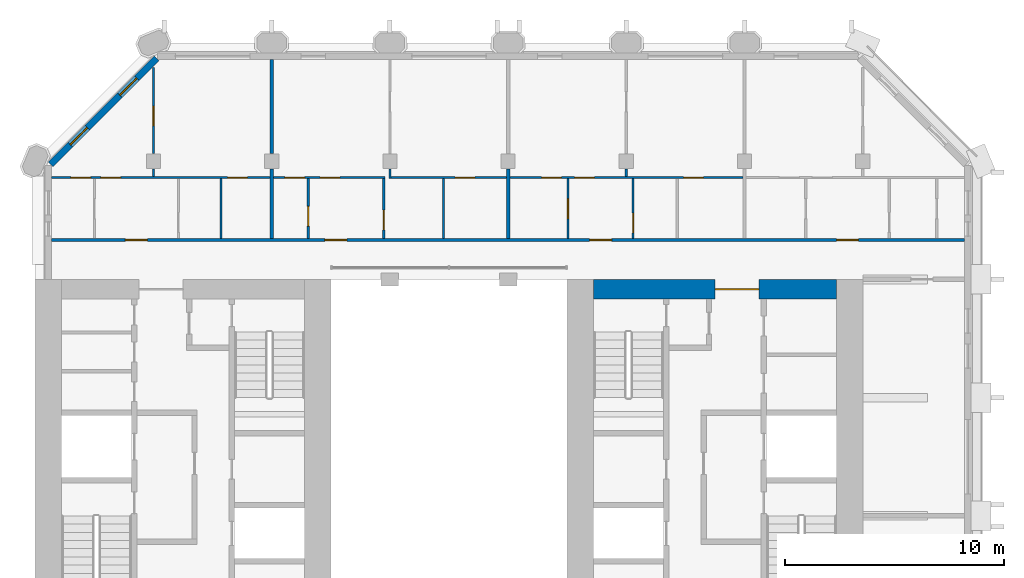
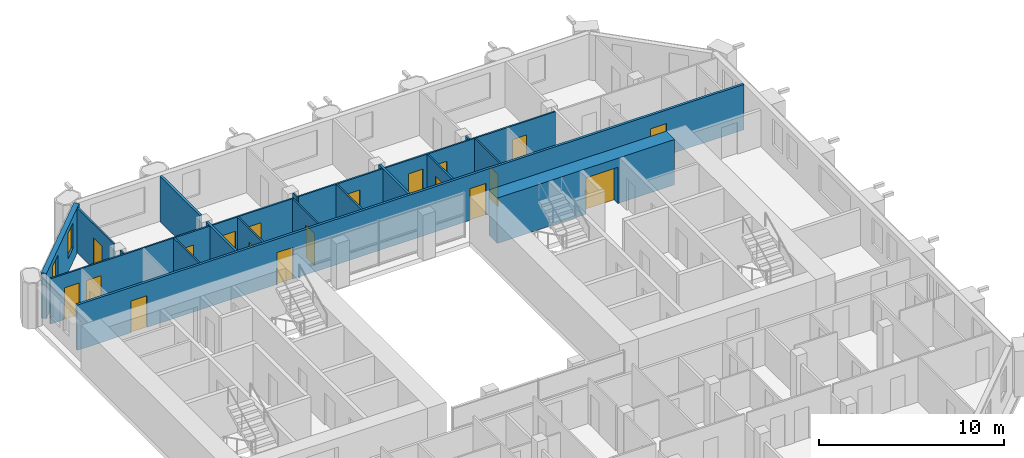
# One storey, part 10 of 14: 20 walls, 19 doors, 2 windows, 21 openings.
"""IFC4 building model written with IfcOpenShell, lengths in metres."""

from ifc_helpers import new_model, si_unit, direction, frame, frame_2d, origin, place, context, subcontext, project, spatial, rectangle, extrude, material, layer, layer_set, type_object, element, fill, save


model = new_model("IFC4")

# Units and contexts
model_context = context("Model", 3, precision=1e-05, world=origin(), true_north=direction((0.0, 1.0)))
body_context = subcontext(model_context, "Body", "Model", "MODEL_VIEW")
ifc_project = project(units=[si_unit("LENGTHUNIT", "METRE"), si_unit("AREAUNIT", "SQUARE_METRE"), si_unit("VOLUMEUNIT", "CUBIC_METRE"), si_unit("PLANEANGLEUNIT", "RADIAN"), si_unit("MASSUNIT", "GRAM", prefix="KILO")], contexts=[model_context])

# Site, building, storey
site_placement = place(None, origin())
site = spatial("IfcSite", under=ifc_project, at=site_placement, CompositionType="ELEMENT")
building_placement = place(site_placement, origin())
building = spatial("IfcBuilding", under=site, at=building_placement, Name="Tabaq Tower and Sports Hall", CompositionType="ELEMENT")
storey_placement = place(building_placement, frame((0.0, 0.0, 275.199951171875)))
storey = spatial("IfcBuildingStorey", under=building, at=storey_placement, Name="L67", CompositionType="ELEMENT", Elevation=275.199951171875)

# Wall, opening, door
ifc_material_1 = material(Name="Concrete C40/50", Category="concrete")
ifc_layer_1 = layer(ifc_material_1, 0.89990234375)
ifc_layer_set_1 = layer_set([ifc_layer_1], Name="Core wall 900 Concrete C40/50")
wall_type_1 = type_object("IfcWallType", Name="Core wall 900 Concrete C40/50", PredefinedType="SOLIDWALL", material=ifc_layer_set_1)
wall_1_placement = place(storey_placement, frame((30.89990234375, 31.949951171875, 0.0), z_axis=(0.0, 0.0, 1.0), x_axis=(1.0, 0.0, 0.0)))
wall_1 = element("IfcWall", 1, at=wall_1_placement, inside=storey, type_object=wall_type_1, Name="Core wall E L67", PredefinedType="SOLIDWALL", context=body_context, shape_type="SweptSolid", body=[
    extrude(rectangle(XDim=11.10009765625, YDim=0.89990234375, at=frame_2d((5.550048828125, 0.0))), origin(), (0.0, 0.0, 1.0), 3.0),
])
opening_1_placement = place(wall_1_placement, frame((5.550048828125, 0.0, 0.0)))
opening_1 = element("IfcOpeningElement", 2, at=opening_1_placement, cuts=wall_1, Name="Opening PD-EL67-02", PredefinedType="OPENING", context=body_context, shape_type="SweptSolid", body=[
    extrude(rectangle(XDim=2.0, YDim=2.39990234375, at=frame_2d((1.0, 1.199951171875))), frame((0.0, 0.449951171875, 0.0), z_axis=(0.0, -1.0, 0.0), x_axis=(1.0, 0.0, 0.0)), (0.0, 0.0, 1.0), 0.89990234375),
])
ifc_material_2 = material(Name="Steel fire door", Category="steel")
door_type_1 = type_object("IfcDoorType", Name="Core entrance door 2000", OperationType="DOUBLE_DOOR_SINGLE_SWING", PredefinedType="DOOR", material=ifc_material_2)
door_1_placement = place(opening_1_placement, origin())
door_1 = element("IfcDoor", 3, at=door_1_placement, inside=storey, type_object=door_type_1, Name="Core entrance north E L67", OperationType="DOUBLE_DOOR_SINGLE_SWING", OverallHeight=2.39990234375, OverallWidth=2.0, PredefinedType="DOOR", context=body_context, shape_type="SweptSolid", body=[
    extrude(rectangle(XDim=2.0, YDim=2.39990234375, at=frame_2d((1.0, 1.199951171875))), frame((0.0, 0.02490234375, 0.0), z_axis=(0.0, -1.0, 0.0), x_axis=(1.0, 0.0, 0.0)), (0.0, 0.0, 1.0), 0.050048828125),
])
fill(opening_1, door_1)

# Wall
ifc_material_3 = material(Name="Gypsum board on steel studs", Category="steel")
ifc_layer_2 = layer(ifc_material_3, 0.10009765625)
ifc_layer_set_2 = layer_set([ifc_layer_2], Name="Partition 100 Gypsum board")
wall_type_2 = type_object("IfcWallType", Name="Partition 100 Gypsum board", PredefinedType="PARTITIONING", material=ifc_layer_set_2)
wall_2_placement = place(storey_placement, frame((10.800048828125, 37.10009765625, 0.0), z_axis=(0.0, 0.0, 1.0), x_axis=(0.0, 1.0, 0.0)))
element("IfcWall", 4, at=wall_2_placement, inside=storey, type_object=wall_type_2, Name="Partition wall L67", PredefinedType="PARTITIONING", context=body_context, shape_type="SweptSolid", body=[
    extrude(rectangle(XDim=0.35498046875, YDim=0.10009765625, at=frame_2d((0.177490234375, 0.0))), origin(), (0.0, 0.0, 1.0), 3.0),
])

# Wall, opening, door
wall_3_placement = place(storey_placement, frame((10.800048828125, 38.14501953125, 0.0), z_axis=(0.0, 0.0, 1.0), x_axis=(0.0, 1.0, 0.0)))
wall_3 = element("IfcWall", 5, at=wall_3_placement, inside=storey, type_object=wall_type_2, Name="Partition wall L67", PredefinedType="PARTITIONING", context=body_context, shape_type="SweptSolid", body=[
    extrude(rectangle(XDim=3.94287109375, YDim=0.10009765625, at=frame_2d((1.971435546875, 0.0))), origin(), (0.0, 0.0, 1.0), 3.0),
])
opening_2_placement = place(wall_3_placement, frame((1.273681640625, 0.0, 0.0)))
opening_2 = element("IfcOpeningElement", 6, at=opening_2_placement, cuts=wall_3, Name="Opening L67-024", PredefinedType="OPENING", context=body_context, shape_type="SweptSolid", body=[
    extrude(rectangle(XDim=0.89990234375, YDim=2.10009765625, at=frame_2d((0.449951171875, 1.050048828125))), frame((0.0, 0.050048828125, 0.0), z_axis=(0.0, -1.0, 0.0), x_axis=(1.0, 0.0, 0.0)), (0.0, 0.0, 1.0), 0.10009765625),
])
ifc_material_4 = material(Name="Timber leaf in steel frame", Category="steel")
door_type_2 = type_object("IfcDoorType", Name="Internal door 900 right hand", OperationType="SINGLE_SWING_RIGHT", PredefinedType="DOOR", material=ifc_material_4)
door_2_placement = place(opening_2_placement, origin())
door_2 = element("IfcDoor", 7, at=door_2_placement, inside=storey, type_object=door_type_2, Name="Internal door L67-024", OperationType="SINGLE_SWING_RIGHT", OverallHeight=2.10009765625, OverallWidth=0.89990234375, PredefinedType="DOOR", context=body_context, shape_type="SweptSolid", body=[
    extrude(rectangle(XDim=0.89990234375, YDim=2.10009765625, at=frame_2d((0.449951171875, 1.050048828125))), frame((0.0, 0.02490234375, 0.0), z_axis=(0.0, -1.0, 0.0), x_axis=(1.0, 0.0, 0.0)), (0.0, 0.0, 1.0), 0.050048828125),
])
fill(opening_2, door_2)

# Wall, openings, doors
wall_4_placement = place(storey_placement, frame((6.15087890625, 37.050048828125, 0.0), z_axis=(0.0, 0.0, 1.0), x_axis=(1.0, 0.0, 0.0)))
wall_4 = element("IfcWall", 8, at=wall_4_placement, inside=storey, type_object=wall_type_2, Name="Partition wall L67", PredefinedType="PARTITIONING", context=body_context, shape_type="SweptSolid", body=[
    extrude(rectangle(XDim=9.97412109375, YDim=0.10009765625, at=frame_2d((4.987060546875, 0.0))), origin(), (0.0, 0.0, 1.0), 3.0),
])
opening_3_placement = place(wall_4_placement, frame((8.0390625, 0.0, 0.0)))
opening_3 = element("IfcOpeningElement", 9, at=opening_3_placement, cuts=wall_4, Name="Opening L67-001", PredefinedType="OPENING", context=body_context, shape_type="SweptSolid", body=[
    extrude(rectangle(XDim=0.89990234375, YDim=2.10009765625, at=frame_2d((0.449951171875, 1.050048828125))), frame((0.0, 0.050048828125, 0.0), z_axis=(0.0, -1.0, 0.0), x_axis=(1.0, 0.0, 0.0)), (0.0, 0.0, 1.0), 0.10009765625),
])
opening_4_placement = place(wall_4_placement, frame((0.87890625, 0.0, 0.0)))
opening_4 = element("IfcOpeningElement", 10, at=opening_4_placement, cuts=wall_4, Name="Opening L67-025", PredefinedType="OPENING", context=body_context, shape_type="SweptSolid", body=[
    extrude(rectangle(XDim=0.89990234375, YDim=2.10009765625, at=frame_2d((0.449951171875, 1.050048828125))), frame((0.0, 0.050048828125, 0.0), z_axis=(0.0, -1.0, 0.0), x_axis=(1.0, 0.0, 0.0)), (0.0, 0.0, 1.0), 0.10009765625),
])
opening_5_placement = place(wall_4_placement, frame((2.2490234375, 0.0, 0.0)))
opening_5 = element("IfcOpeningElement", 11, at=opening_5_placement, cuts=wall_4, Name="Opening L67-050", PredefinedType="OPENING", context=body_context, shape_type="SweptSolid", body=[
    extrude(rectangle(XDim=0.89990234375, YDim=2.10009765625, at=frame_2d((0.449951171875, 1.050048828125))), frame((0.0, 0.050048828125, 0.0), z_axis=(0.0, -1.0, 0.0), x_axis=(1.0, 0.0, 0.0)), (0.0, 0.0, 1.0), 0.10009765625),
])
ifc_material_5 = material(Name="Timber leaf in steel frame", Category="steel")
door_type_3 = type_object("IfcDoorType", Name="Internal door 900 left hand", OperationType="SINGLE_SWING_LEFT", PredefinedType="DOOR", material=ifc_material_5)
door_3_placement = place(opening_4_placement, origin())
door_3 = element("IfcDoor", 12, at=door_3_placement, inside=storey, type_object=door_type_3, Name="Internal door L67-025", OperationType="SINGLE_SWING_LEFT", OverallHeight=2.10009765625, OverallWidth=0.89990234375, PredefinedType="DOOR", context=body_context, shape_type="SweptSolid", body=[
    extrude(rectangle(XDim=0.89990234375, YDim=2.10009765625, at=frame_2d((0.449951171875, 1.050048828125))), frame((0.0, 0.02490234375, 0.0), z_axis=(0.0, -1.0, 0.0), x_axis=(1.0, 0.0, 0.0)), (0.0, 0.0, 1.0), 0.050048828125),
])
fill(opening_4, door_3)
door_4_placement = place(opening_3_placement, origin())
door_4 = element("IfcDoor", 13, at=door_4_placement, inside=storey, type_object=door_type_2, Name="Internal door L67-001", OperationType="SINGLE_SWING_RIGHT", OverallHeight=2.10009765625, OverallWidth=0.89990234375, PredefinedType="DOOR", context=body_context, shape_type="SweptSolid", body=[
    extrude(rectangle(XDim=0.89990234375, YDim=2.10009765625, at=frame_2d((0.449951171875, 1.050048828125))), frame((0.0, 0.02490234375, 0.0), z_axis=(0.0, -1.0, 0.0), x_axis=(1.0, 0.0, 0.0)), (0.0, 0.0, 1.0), 0.050048828125),
])
fill(opening_3, door_4)
door_5_placement = place(opening_5_placement, origin())
door_5 = element("IfcDoor", 14, at=door_5_placement, inside=storey, type_object=door_type_2, Name="Internal door L67-050", OperationType="SINGLE_SWING_RIGHT", OverallHeight=2.10009765625, OverallWidth=0.89990234375, PredefinedType="DOOR", context=body_context, shape_type="SweptSolid", body=[
    extrude(rectangle(XDim=0.89990234375, YDim=2.10009765625, at=frame_2d((0.449951171875, 1.050048828125))), frame((0.0, 0.02490234375, 0.0), z_axis=(0.0, -1.0, 0.0), x_axis=(1.0, 0.0, 0.0)), (0.0, 0.0, 1.0), 0.050048828125),
])
fill(opening_5, door_5)

# Wall
wall_5_placement = place(storey_placement, frame((13.889892578125, 34.27490234375, 0.0), z_axis=(0.0, 0.0, 1.0), x_axis=(0.0, 1.0, 0.0)))
element("IfcWall", 15, at=wall_5_placement, inside=storey, type_object=wall_type_2, Name="Partition wall L67", PredefinedType="PARTITIONING", context=body_context, shape_type="SweptSolid", body=[
    extrude(rectangle(XDim=2.72509765625, YDim=0.10009765625, at=frame_2d((1.362548828125, 0.0))), origin(), (0.0, 0.0, 1.0), 3.0),
])

# Wall, openings, doors
wall_6_placement = place(storey_placement, frame((16.27490234375, 37.050048828125, 0.0), z_axis=(0.0, 0.0, 1.0), x_axis=(1.0, 0.0, 0.0)))
wall_6 = element("IfcWall", 16, at=wall_6_placement, inside=storey, type_object=wall_type_2, Name="Partition wall L67", PredefinedType="PARTITIONING", context=body_context, shape_type="SweptSolid", body=[
    extrude(rectangle(XDim=5.09716796875, YDim=0.10009765625, at=frame_2d((2.548583984375, 0.0))), origin(), (0.0, 0.0, 1.0), 3.0),
])
opening_6_placement = place(wall_6_placement, frame((0.52587890625, 0.0, 0.0)))
opening_6 = element("IfcOpeningElement", 17, at=opening_6_placement, cuts=wall_6, Name="Opening L67-028", PredefinedType="OPENING", context=body_context, shape_type="SweptSolid", body=[
    extrude(rectangle(XDim=0.89990234375, YDim=2.10009765625, at=frame_2d((0.449951171875, 1.050048828125))), frame((0.0, 0.050048828125, 0.0), z_axis=(0.0, -1.0, 0.0), x_axis=(1.0, 0.0, 0.0)), (0.0, 0.0, 1.0), 0.10009765625),
])
opening_7_placement = place(wall_6_placement, frame((2.139892578125, 0.0, 0.0)))
opening_7 = element("IfcOpeningElement", 18, at=opening_7_placement, cuts=wall_6, Name="Opening L67-051", PredefinedType="OPENING", context=body_context, shape_type="SweptSolid", body=[
    extrude(rectangle(XDim=0.89990234375, YDim=2.10009765625, at=frame_2d((0.449951171875, 1.050048828125))), frame((0.0, 0.050048828125, 0.0), z_axis=(0.0, -1.0, 0.0), x_axis=(1.0, 0.0, 0.0)), (0.0, 0.0, 1.0), 0.10009765625),
])
door_6_placement = place(opening_6_placement, origin())
door_6 = element("IfcDoor", 19, at=door_6_placement, inside=storey, type_object=door_type_3, Name="Internal door L67-028", OperationType="SINGLE_SWING_LEFT", OverallHeight=2.10009765625, OverallWidth=0.89990234375, PredefinedType="DOOR", context=body_context, shape_type="SweptSolid", body=[
    extrude(rectangle(XDim=0.89990234375, YDim=2.10009765625, at=frame_2d((0.449951171875, 1.050048828125))), frame((0.0, 0.02490234375, 0.0), z_axis=(0.0, -1.0, 0.0), x_axis=(1.0, 0.0, 0.0)), (0.0, 0.0, 1.0), 0.050048828125),
])
fill(opening_6, door_6)
door_7_placement = place(opening_7_placement, origin())
door_7 = element("IfcDoor", 20, at=door_7_placement, inside=storey, type_object=door_type_2, Name="Internal door L67-051", OperationType="SINGLE_SWING_RIGHT", OverallHeight=2.10009765625, OverallWidth=0.89990234375, PredefinedType="DOOR", context=body_context, shape_type="SweptSolid", body=[
    extrude(rectangle(XDim=0.89990234375, YDim=2.10009765625, at=frame_2d((0.449951171875, 1.050048828125))), frame((0.0, 0.02490234375, 0.0), z_axis=(0.0, -1.0, 0.0), x_axis=(1.0, 0.0, 0.0)), (0.0, 0.0, 1.0), 0.050048828125),
])
fill(opening_7, door_7)

# Wall
wall_7_placement = place(storey_placement, frame((21.60009765625, 37.0, 0.0), z_axis=(0.0, 0.0, 1.0), x_axis=(0.0, 1.0, 0.0)))
element("IfcWall", 21, at=wall_7_placement, inside=storey, type_object=wall_type_2, Name="Partition wall L67", PredefinedType="PARTITIONING", context=body_context, shape_type="SweptSolid", body=[
    extrude(rectangle(XDim=0.455078125, YDim=0.10009765625, at=frame_2d((0.2275390625, 0.0))), origin(), (0.0, 0.0, 1.0), 3.0),
])

# Wall, opening, door
wall_8_placement = place(storey_placement, frame((21.64990234375, 37.050048828125, 0.0), z_axis=(0.0, 0.0, 1.0), x_axis=(1.0, 0.0, 0.0)))
wall_8 = element("IfcWall", 22, at=wall_8_placement, inside=storey, type_object=wall_type_2, Name="Partition wall L67", PredefinedType="PARTITIONING", context=body_context, shape_type="SweptSolid", body=[
    extrude(rectangle(XDim=5.275146484375, YDim=0.10009765625, at=frame_2d((2.6376953125, 0.0))), origin(), (0.0, 0.0, 1.0), 3.0),
])
opening_8_placement = place(wall_8_placement, frame((2.933349609375, 0.0, 0.0)))
opening_8 = element("IfcOpeningElement", 23, at=opening_8_placement, cuts=wall_8, Name="Opening L67-003", PredefinedType="OPENING", context=body_context, shape_type="SweptSolid", body=[
    extrude(rectangle(XDim=0.89990234375, YDim=2.10009765625, at=frame_2d((0.449951171875, 1.050048828125))), frame((0.0, 0.050048828125, 0.0), z_axis=(0.0, -1.0, 0.0), x_axis=(1.0, 0.0, 0.0)), (0.0, 0.0, 1.0), 0.10009765625),
])
door_8_placement = place(opening_8_placement, origin())
door_8 = element("IfcDoor", 24, at=door_8_placement, inside=storey, type_object=door_type_2, Name="Internal door L67-003", OperationType="SINGLE_SWING_RIGHT", OverallHeight=2.10009765625, OverallWidth=0.89990234375, PredefinedType="DOOR", context=body_context, shape_type="SweptSolid", body=[
    extrude(rectangle(XDim=0.89990234375, YDim=2.10009765625, at=frame_2d((0.449951171875, 1.050048828125))), frame((0.0, 0.02490234375, 0.0), z_axis=(0.0, -1.0, 0.0), x_axis=(1.0, 0.0, 0.0)), (0.0, 0.0, 1.0), 0.050048828125),
])
fill(opening_8, door_8)

wall_9_placement = place(storey_placement, frame((17.87109375, 34.27490234375, 0.0), z_axis=(0.0, 0.0, 1.0), x_axis=(0.0, 1.0, 0.0)))
wall_9 = element("IfcWall", 25, at=wall_9_placement, inside=storey, type_object=wall_type_2, Name="Partition wall L67", PredefinedType="PARTITIONING", context=body_context, shape_type="SweptSolid", body=[
    extrude(rectangle(XDim=2.72509765625, YDim=0.10009765625, at=frame_2d((1.362548828125, 0.0))), origin(), (0.0, 0.0, 1.0), 3.0),
])
opening_9_placement = place(wall_9_placement, frame((0.56298828125, 0.0, 0.0)))
opening_9 = element("IfcOpeningElement", 26, at=opening_9_placement, cuts=wall_9, Name="Opening L67-029", PredefinedType="OPENING", context=body_context, shape_type="SweptSolid", body=[
    extrude(rectangle(XDim=0.89990234375, YDim=2.10009765625, at=frame_2d((0.449951171875, 1.050048828125))), frame((0.0, 0.050048828125, 0.0), z_axis=(0.0, -1.0, 0.0), x_axis=(1.0, 0.0, 0.0)), (0.0, 0.0, 1.0), 0.10009765625),
])
door_9_placement = place(opening_9_placement, origin())
door_9 = element("IfcDoor", 27, at=door_9_placement, inside=storey, type_object=door_type_2, Name="Internal door L67-029", OperationType="SINGLE_SWING_RIGHT", OverallHeight=2.10009765625, OverallWidth=0.89990234375, PredefinedType="DOOR", context=body_context, shape_type="SweptSolid", body=[
    extrude(rectangle(XDim=0.89990234375, YDim=2.10009765625, at=frame_2d((0.449951171875, 1.050048828125))), frame((0.0, 0.02490234375, 0.0), z_axis=(0.0, -1.0, 0.0), x_axis=(1.0, 0.0, 0.0)), (0.0, 0.0, 1.0), 0.050048828125),
])
fill(opening_9, door_9)

wall_10_placement = place(storey_placement, frame((21.322021484375, 34.27490234375, 0.0), z_axis=(0.0, 0.0, 1.0), x_axis=(0.0, 1.0, 0.0)))
wall_10 = element("IfcWall", 28, at=wall_10_placement, inside=storey, type_object=wall_type_2, Name="Partition wall L67", PredefinedType="PARTITIONING", context=body_context, shape_type="SweptSolid", body=[
    extrude(rectangle(XDim=2.72509765625, YDim=0.10009765625, at=frame_2d((1.362548828125, 0.0))), origin(), (0.0, 0.0, 1.0), 3.0),
])
opening_10_placement = place(wall_10_placement, frame((0.39404296875, 0.0, 0.0)))
opening_10 = element("IfcOpeningElement", 29, at=opening_10_placement, cuts=wall_10, Name="Opening L67-004", PredefinedType="OPENING", context=body_context, shape_type="SweptSolid", body=[
    extrude(rectangle(XDim=0.89990234375, YDim=2.10009765625, at=frame_2d((0.449951171875, 1.050048828125))), frame((0.0, 0.050048828125, 0.0), z_axis=(0.0, -1.0, 0.0), x_axis=(1.0, 0.0, 0.0)), (0.0, 0.0, 1.0), 0.10009765625),
])
door_10_placement = place(opening_10_placement, origin())
door_10 = element("IfcDoor", 30, at=door_10_placement, inside=storey, type_object=door_type_2, Name="Internal door L67-004", OperationType="SINGLE_SWING_RIGHT", OverallHeight=2.10009765625, OverallWidth=0.89990234375, PredefinedType="DOOR", context=body_context, shape_type="SweptSolid", body=[
    extrude(rectangle(XDim=0.89990234375, YDim=2.10009765625, at=frame_2d((0.449951171875, 1.050048828125))), frame((0.0, 0.02490234375, 0.0), z_axis=(0.0, -1.0, 0.0), x_axis=(1.0, 0.0, 0.0)), (0.0, 0.0, 1.0), 0.050048828125),
])
fill(opening_10, door_10)

# Walls
wall_11_placement = place(storey_placement, frame((24.050048828125, 34.27490234375, 0.0), z_axis=(0.0, 0.0, 1.0), x_axis=(0.0, 1.0, 0.0)))
element("IfcWall", 31, at=wall_11_placement, inside=storey, type_object=wall_type_2, Name="Partition wall L67", PredefinedType="PARTITIONING", context=body_context, shape_type="SweptSolid", body=[
    extrude(rectangle(XDim=2.72509765625, YDim=0.10009765625, at=frame_2d((1.362548828125, 0.0))), origin(), (0.0, 0.0, 1.0), 3.0),
])
wall_12_placement = place(storey_placement, frame((32.39990234375, 37.10009765625, 0.0), z_axis=(0.0, 0.0, 1.0), x_axis=(0.0, 1.0, 0.0)))
element("IfcWall", 32, at=wall_12_placement, inside=storey, type_object=wall_type_2, Name="Partition wall L67", PredefinedType="PARTITIONING", context=body_context, shape_type="SweptSolid", body=[
    extrude(rectangle(XDim=0.35498046875, YDim=0.10009765625, at=frame_2d((0.177490234375, 0.0))), origin(), (0.0, 0.0, 1.0), 3.0),
])

# Wall, openings, doors
wall_13_placement = place(storey_placement, frame((27.074951171875, 37.050048828125, 0.0), z_axis=(0.0, 0.0, 1.0), x_axis=(1.0, 0.0, 0.0)))
wall_13 = element("IfcWall", 33, at=wall_13_placement, inside=storey, type_object=wall_type_2, Name="Partition wall L67", PredefinedType="PARTITIONING", context=body_context, shape_type="SweptSolid", body=[
    extrude(rectangle(XDim=10.650146484375, YDim=0.10009765625, at=frame_2d((5.3251953125, 0.0))), origin(), (0.0, 0.0, 1.0), 3.0),
])
opening_11_placement = place(wall_13_placement, frame((7.946044921875, 0.0, 0.0)))
opening_11 = element("IfcOpeningElement", 34, at=opening_11_placement, cuts=wall_13, Name="Opening L67-005", PredefinedType="OPENING", context=body_context, shape_type="SweptSolid", body=[
    extrude(rectangle(XDim=0.89990234375, YDim=2.10009765625, at=frame_2d((0.449951171875, 1.050048828125))), frame((0.0, 0.050048828125, 0.0), z_axis=(0.0, -1.0, 0.0), x_axis=(1.0, 0.0, 0.0)), (0.0, 0.0, 1.0), 0.10009765625),
])
opening_12_placement = place(wall_13_placement, frame((1.4599609375, 0.0, 0.0)))
opening_12 = element("IfcOpeningElement", 35, at=opening_12_placement, cuts=wall_13, Name="Opening L67-031", PredefinedType="OPENING", context=body_context, shape_type="SweptSolid", body=[
    extrude(rectangle(XDim=0.89990234375, YDim=2.10009765625, at=frame_2d((0.449951171875, 1.050048828125))), frame((0.0, 0.050048828125, 0.0), z_axis=(0.0, -1.0, 0.0), x_axis=(1.0, 0.0, 0.0)), (0.0, 0.0, 1.0), 0.10009765625),
])
opening_13_placement = place(wall_13_placement, frame((2.9599609375, 0.0, 0.0)))
opening_13 = element("IfcOpeningElement", 36, at=opening_13_placement, cuts=wall_13, Name="Opening L67-052", PredefinedType="OPENING", context=body_context, shape_type="SweptSolid", body=[
    extrude(rectangle(XDim=0.89990234375, YDim=2.10009765625, at=frame_2d((0.449951171875, 1.050048828125))), frame((0.0, 0.050048828125, 0.0), z_axis=(0.0, -1.0, 0.0), x_axis=(1.0, 0.0, 0.0)), (0.0, 0.0, 1.0), 0.10009765625),
])
door_11_placement = place(opening_12_placement, origin())
door_11 = element("IfcDoor", 37, at=door_11_placement, inside=storey, type_object=door_type_3, Name="Internal door L67-031", OperationType="SINGLE_SWING_LEFT", OverallHeight=2.10009765625, OverallWidth=0.89990234375, PredefinedType="DOOR", context=body_context, shape_type="SweptSolid", body=[
    extrude(rectangle(XDim=0.89990234375, YDim=2.10009765625, at=frame_2d((0.449951171875, 1.050048828125))), frame((0.0, 0.02490234375, 0.0), z_axis=(0.0, -1.0, 0.0), x_axis=(1.0, 0.0, 0.0)), (0.0, 0.0, 1.0), 0.050048828125),
])
fill(opening_12, door_11)
door_12_placement = place(opening_11_placement, origin())
door_12 = element("IfcDoor", 38, at=door_12_placement, inside=storey, type_object=door_type_2, Name="Internal door L67-005", OperationType="SINGLE_SWING_RIGHT", OverallHeight=2.10009765625, OverallWidth=0.89990234375, PredefinedType="DOOR", context=body_context, shape_type="SweptSolid", body=[
    extrude(rectangle(XDim=0.89990234375, YDim=2.10009765625, at=frame_2d((0.449951171875, 1.050048828125))), frame((0.0, 0.02490234375, 0.0), z_axis=(0.0, -1.0, 0.0), x_axis=(1.0, 0.0, 0.0)), (0.0, 0.0, 1.0), 0.050048828125),
])
fill(opening_11, door_12)
door_13_placement = place(opening_13_placement, origin())
door_13 = element("IfcDoor", 39, at=door_13_placement, inside=storey, type_object=door_type_2, Name="Internal door L67-052", OperationType="SINGLE_SWING_RIGHT", OverallHeight=2.10009765625, OverallWidth=0.89990234375, PredefinedType="DOOR", context=body_context, shape_type="SweptSolid", body=[
    extrude(rectangle(XDim=0.89990234375, YDim=2.10009765625, at=frame_2d((0.449951171875, 1.050048828125))), frame((0.0, 0.02490234375, 0.0), z_axis=(0.0, -1.0, 0.0), x_axis=(1.0, 0.0, 0.0)), (0.0, 0.0, 1.0), 0.050048828125),
])
fill(opening_13, door_13)

# Wall, opening, door
wall_14_placement = place(storey_placement, frame((29.735107421875, 34.27490234375, 0.0), z_axis=(0.0, 0.0, 1.0), x_axis=(0.0, 1.0, 0.0)))
wall_14 = element("IfcWall", 40, at=wall_14_placement, inside=storey, type_object=wall_type_2, Name="Partition wall L67", PredefinedType="PARTITIONING", context=body_context, shape_type="SweptSolid", body=[
    extrude(rectangle(XDim=2.72509765625, YDim=0.10009765625, at=frame_2d((1.362548828125, 0.0))), origin(), (0.0, 0.0, 1.0), 3.0),
])
opening_14_placement = place(wall_14_placement, frame((0.89990234375, 0.0, 0.0)))
opening_14 = element("IfcOpeningElement", 41, at=opening_14_placement, cuts=wall_14, Name="Opening L67-032", PredefinedType="OPENING", context=body_context, shape_type="SweptSolid", body=[
    extrude(rectangle(XDim=0.89990234375, YDim=2.10009765625, at=frame_2d((0.449951171875, 1.050048828125))), frame((0.0, 0.050048828125, 0.0), z_axis=(0.0, -1.0, 0.0), x_axis=(1.0, 0.0, 0.0)), (0.0, 0.0, 1.0), 0.10009765625),
])
door_14_placement = place(opening_14_placement, origin())
door_14 = element("IfcDoor", 42, at=door_14_placement, inside=storey, type_object=door_type_3, Name="Internal door L67-032", OperationType="SINGLE_SWING_LEFT", OverallHeight=2.10009765625, OverallWidth=0.89990234375, PredefinedType="DOOR", context=body_context, shape_type="SweptSolid", body=[
    extrude(rectangle(XDim=0.89990234375, YDim=2.10009765625, at=frame_2d((0.449951171875, 1.050048828125))), frame((0.0, 0.02490234375, 0.0), z_axis=(0.0, -1.0, 0.0), x_axis=(1.0, 0.0, 0.0)), (0.0, 0.0, 1.0), 0.050048828125),
])
fill(opening_14, door_14)

wall_15_placement = place(storey_placement, frame((32.7099609375, 34.27490234375, 0.0), z_axis=(0.0, 0.0, 1.0), x_axis=(0.0, 1.0, 0.0)))
wall_15 = element("IfcWall", 43, at=wall_15_placement, inside=storey, type_object=wall_type_2, Name="Partition wall L67", PredefinedType="PARTITIONING", context=body_context, shape_type="SweptSolid", body=[
    extrude(rectangle(XDim=2.72509765625, YDim=0.10009765625, at=frame_2d((1.362548828125, 0.0))), origin(), (0.0, 0.0, 1.0), 3.0),
])
opening_15_placement = place(wall_15_placement, frame((0.25, 0.0, 0.0)))
opening_15 = element("IfcOpeningElement", 44, at=opening_15_placement, cuts=wall_15, Name="Opening L67-006", PredefinedType="OPENING", context=body_context, shape_type="SweptSolid", body=[
    extrude(rectangle(XDim=0.89990234375, YDim=2.10009765625, at=frame_2d((0.449951171875, 1.050048828125))), frame((0.0, 0.050048828125, 0.0), z_axis=(0.0, -1.0, 0.0), x_axis=(1.0, 0.0, 0.0)), (0.0, 0.0, 1.0), 0.10009765625),
])
door_15_placement = place(opening_15_placement, origin())
door_15 = element("IfcDoor", 45, at=door_15_placement, inside=storey, type_object=door_type_3, Name="Internal door L67-006", OperationType="SINGLE_SWING_LEFT", OverallHeight=2.10009765625, OverallWidth=0.89990234375, PredefinedType="DOOR", context=body_context, shape_type="SweptSolid", body=[
    extrude(rectangle(XDim=0.89990234375, YDim=2.10009765625, at=frame_2d((0.449951171875, 1.050048828125))), frame((0.0, 0.02490234375, 0.0), z_axis=(0.0, -1.0, 0.0), x_axis=(1.0, 0.0, 0.0)), (0.0, 0.0, 1.0), 0.050048828125),
])
fill(opening_15, door_15)

# Walls
ifc_material_6 = material(Name="Blockwork", Category="masonry")
ifc_layer_3 = layer(ifc_material_6, 0.14990234375)
ifc_layer_set_3 = layer_set([ifc_layer_3], Name="Separating wall 150 Blockwork")
wall_type_3 = type_object("IfcWallType", Name="Separating wall 150 Blockwork", PredefinedType="PARTITIONING", material=ifc_layer_set_3)
wall_16_placement = place(storey_placement, frame((16.199951171875, 38.14501953125, 0.0), z_axis=(0.0, 0.0, 1.0), x_axis=(0.0, 1.0, 0.0)))
element("IfcWall", 46, at=wall_16_placement, inside=storey, type_object=wall_type_3, Name="Separating wall L67", PredefinedType="PARTITIONING", context=body_context, shape_type="SweptSolid", body=[
    extrude(rectangle(XDim=4.303955078125, YDim=0.14990234375, at=frame_2d((2.15185546875, 0.0))), origin(), (0.0, 0.0, 1.0), 3.0),
])
for number, where, z_axis, x_axis, name in (
    (47, (16.199951171875, 34.27490234375, 0.0), (0.0, 0.0, 1.0), (0.0, 1.0, 0.0), "Separating wall L67"),
    (48, (27.0, 34.27490234375, 0.0), (0.0, 0.0, 1.0), (0.0, 1.0, 0.0), "Separating wall L67"),
):
    element("IfcWall", number, at=place(storey_placement, frame(where, z_axis=z_axis, x_axis=x_axis)), inside=storey, type_object=wall_type_3, Name=name, PredefinedType="PARTITIONING", context=body_context, shape_type="SweptSolid", body=[
        extrude(rectangle(XDim=3.18017578125, YDim=0.14990234375, at=frame_2d((1.590087890625, 0.0))), origin(), (0.0, 0.0, 1.0), 3.0),
    ])

# Wall, openings, doors
wall_17_placement = place(storey_placement, frame((6.15087890625, 34.199951171875, 0.0), z_axis=(0.0, 0.0, 1.0), x_axis=(1.0, 0.0, 0.0)))
wall_17 = element("IfcWall", 49, at=wall_17_placement, inside=storey, type_object=wall_type_3, Name="Separating wall L67", PredefinedType="PARTITIONING", context=body_context, shape_type="SweptSolid", body=[
    extrude(rectangle(XDim=41.6982421875, YDim=0.14990234375, at=frame_2d((20.84912109375, 0.0))), origin(), (0.0, 0.0, 1.0), 3.0),
])
opening_16_placement = place(wall_17_placement, frame((3.368896484375, 0.0, 0.0)))
opening_16 = element("IfcOpeningElement", 50, at=opening_16_placement, cuts=wall_17, Name="Opening L67-057", PredefinedType="OPENING", context=body_context, shape_type="SweptSolid", body=[
    extrude(rectangle(XDim=1.0, YDim=2.10009765625, at=frame_2d((0.5, 1.050048828125))), frame((0.0, 0.074951171875, 0.0), z_axis=(0.0, -1.0, 0.0), x_axis=(1.0, 0.0, 0.0)), (0.0, 0.0, 1.0), 0.14990234375),
])
opening_17_placement = place(wall_17_placement, frame((12.48291015625, 0.0, 0.0)))
opening_17 = element("IfcOpeningElement", 51, at=opening_17_placement, cuts=wall_17, Name="Opening L67-058", PredefinedType="OPENING", context=body_context, shape_type="SweptSolid", body=[
    extrude(rectangle(XDim=1.0, YDim=2.10009765625, at=frame_2d((0.5, 1.050048828125))), frame((0.0, 0.074951171875, 0.0), z_axis=(0.0, -1.0, 0.0), x_axis=(1.0, 0.0, 0.0)), (0.0, 0.0, 1.0), 0.14990234375),
])
opening_18_placement = place(wall_17_placement, frame((24.572021484375, 0.0, 0.0)))
opening_18 = element("IfcOpeningElement", 52, at=opening_18_placement, cuts=wall_17, Name="Opening L67-059", PredefinedType="OPENING", context=body_context, shape_type="SweptSolid", body=[
    extrude(rectangle(XDim=1.0, YDim=2.10009765625, at=frame_2d((0.5, 1.050048828125))), frame((0.0, 0.074951171875, 0.0), z_axis=(0.0, -1.0, 0.0), x_axis=(1.0, 0.0, 0.0)), (0.0, 0.0, 1.0), 0.14990234375),
])
opening_19_placement = place(wall_17_placement, frame((35.84912109375, 0.0, 0.0)))
opening_19 = element("IfcOpeningElement", 53, at=opening_19_placement, cuts=wall_17, Name="Opening L67-060", PredefinedType="OPENING", context=body_context, shape_type="SweptSolid", body=[
    extrude(rectangle(XDim=1.0, YDim=2.10009765625, at=frame_2d((0.5, 1.050048828125))), frame((0.0, 0.074951171875, 0.0), z_axis=(0.0, -1.0, 0.0), x_axis=(1.0, 0.0, 0.0)), (0.0, 0.0, 1.0), 0.14990234375),
])
ifc_material_7 = material(Name="Steel fire door", Category="steel")
door_type_4 = type_object("IfcDoorType", Name="Entrance door 1000 left hand", OperationType="SINGLE_SWING_LEFT", PredefinedType="DOOR", material=ifc_material_7)
door_16_placement = place(opening_18_placement, origin())
door_16 = element("IfcDoor", 54, at=door_16_placement, inside=storey, type_object=door_type_4, Name="Entrance door L67-059", OperationType="SINGLE_SWING_LEFT", OverallHeight=2.10009765625, OverallWidth=1.0, PredefinedType="DOOR", context=body_context, shape_type="SweptSolid", body=[
    extrude(rectangle(XDim=1.0, YDim=2.10009765625, at=frame_2d((0.5, 1.050048828125))), frame((0.0, 0.02490234375, 0.0), z_axis=(0.0, -1.0, 0.0), x_axis=(1.0, 0.0, 0.0)), (0.0, 0.0, 1.0), 0.050048828125),
])
fill(opening_18, door_16)
door_17_placement = place(opening_19_placement, origin())
door_17 = element("IfcDoor", 55, at=door_17_placement, inside=storey, type_object=door_type_4, Name="Entrance door L67-060", OperationType="SINGLE_SWING_LEFT", OverallHeight=2.10009765625, OverallWidth=1.0, PredefinedType="DOOR", context=body_context, shape_type="SweptSolid", body=[
    extrude(rectangle(XDim=1.0, YDim=2.10009765625, at=frame_2d((0.5, 1.050048828125))), frame((0.0, 0.02490234375, 0.0), z_axis=(0.0, -1.0, 0.0), x_axis=(1.0, 0.0, 0.0)), (0.0, 0.0, 1.0), 0.050048828125),
])
fill(opening_19, door_17)
ifc_material_8 = material(Name="Steel fire door", Category="steel")
door_type_5 = type_object("IfcDoorType", Name="Entrance door 1000 right hand", OperationType="SINGLE_SWING_RIGHT", PredefinedType="DOOR", material=ifc_material_8)
door_18_placement = place(opening_16_placement, origin())
door_18 = element("IfcDoor", 56, at=door_18_placement, inside=storey, type_object=door_type_5, Name="Entrance door L67-057", OperationType="SINGLE_SWING_RIGHT", OverallHeight=2.10009765625, OverallWidth=1.0, PredefinedType="DOOR", context=body_context, shape_type="SweptSolid", body=[
    extrude(rectangle(XDim=1.0, YDim=2.10009765625, at=frame_2d((0.5, 1.050048828125))), frame((0.0, 0.02490234375, 0.0), z_axis=(0.0, -1.0, 0.0), x_axis=(1.0, 0.0, 0.0)), (0.0, 0.0, 1.0), 0.050048828125),
])
fill(opening_16, door_18)
door_19_placement = place(opening_17_placement, origin())
door_19 = element("IfcDoor", 57, at=door_19_placement, inside=storey, type_object=door_type_5, Name="Entrance door L67-058", OperationType="SINGLE_SWING_RIGHT", OverallHeight=2.10009765625, OverallWidth=1.0, PredefinedType="DOOR", context=body_context, shape_type="SweptSolid", body=[
    extrude(rectangle(XDim=1.0, YDim=2.10009765625, at=frame_2d((0.5, 1.050048828125))), frame((0.0, 0.02490234375, 0.0), z_axis=(0.0, -1.0, 0.0), x_axis=(1.0, 0.0, 0.0)), (0.0, 0.0, 1.0), 0.050048828125),
])
fill(opening_17, door_19)

# Wall, openings, windows
ifc_material_9 = material(Name="White precast concrete C60/75", Category="concrete")
ifc_layer_4 = layer(ifc_material_9, 0.300048828125)
ifc_layer_set_4 = layer_set([ifc_layer_4], Name="White precast concrete C60/75 external wall 300")
wall_type_4 = type_object("IfcWallType", Name="White precast concrete C60/75 external wall 300", PredefinedType="SOLIDWALL", material=ifc_layer_set_4)
wall_18_placement = place(storey_placement, frame((10.949462890625, 42.5009765625, 0.0), z_axis=(0.0, 0.0, 1.0), x_axis=(-0.707106781187, -0.707106781187, 0.0)))
wall_18 = element("IfcWall", 58, at=wall_18_placement, inside=storey, type_object=wall_type_4, Name="External Wall L67 NW", PredefinedType="SOLIDWALL", context=body_context, shape_type="SweptSolid", body=[
    extrude(rectangle(XDim=6.85986328125, YDim=0.300048828125, at=frame_2d((3.429931640625, 0.0))), origin(), (0.0, 0.0, 1.0), 3.0),
])
opening_20_placement = place(wall_18_placement, frame((1.27978515625, 0.0, 0.89990234375)))
opening_20 = element("IfcOpeningElement", 59, at=opening_20_placement, cuts=wall_18, Name="Opening W1B", PredefinedType="OPENING", context=body_context, shape_type="SweptSolid", body=[
    extrude(rectangle(XDim=1.10009765625, YDim=1.699951171875, at=frame_2d((0.550048828125, 0.85009765625))), frame((0.0, 0.16015625, 0.0), z_axis=(0.0, -1.0, 0.0), x_axis=(1.0, 0.0, 0.0)), (0.0, 0.0, 1.0), 0.320068359375),
])
opening_21_placement = place(wall_18_placement, frame((4.479736328125, 0.0, 0.89990234375)))
opening_21 = element("IfcOpeningElement", 60, at=opening_21_placement, cuts=wall_18, Name="Opening W1B", PredefinedType="OPENING", context=body_context, shape_type="SweptSolid", body=[
    extrude(rectangle(XDim=1.10009765625, YDim=1.699951171875, at=frame_2d((0.550048828125, 0.85009765625))), frame((0.0, 0.16015625, 0.0), z_axis=(0.0, -1.0, 0.0), x_axis=(1.0, 0.0, 0.0)), (0.0, 0.0, 1.0), 0.320068359375),
])
ifc_material_10 = material(Name="Aluminium framed clear glazing", Category="aluminium")
window_type = type_object("IfcWindowType", Name="Window W1B", PartitioningType="SINGLE_PANEL", PredefinedType="WINDOW", material=ifc_material_10)
window_1_placement = place(opening_20_placement, origin())
window_1 = element("IfcWindow", 61, at=window_1_placement, inside=storey, type_object=window_type, Name="Window W1B L67", OverallHeight=1.699951171875, OverallWidth=1.10009765625, PartitioningType="SINGLE_PANEL", PredefinedType="WINDOW", context=body_context, shape_type="SweptSolid", body=[
    extrude(rectangle(XDim=1.10009765625, YDim=1.699951171875, at=frame_2d((0.550048828125, 0.85009765625))), frame((0.0, 0.030029296875, 0.0), z_axis=(0.0, -1.0, 0.0), x_axis=(1.0, 0.0, 0.0)), (0.0, 0.0, 1.0), 0.06005859375),
])
fill(opening_20, window_1)
window_2_placement = place(opening_21_placement, origin())
window_2 = element("IfcWindow", 62, at=window_2_placement, inside=storey, type_object=window_type, Name="Window W1B L67", OverallHeight=1.699951171875, OverallWidth=1.10009765625, PartitioningType="SINGLE_PANEL", PredefinedType="WINDOW", context=body_context, shape_type="SweptSolid", body=[
    extrude(rectangle(XDim=1.10009765625, YDim=1.699951171875, at=frame_2d((0.550048828125, 0.85009765625))), frame((0.0, 0.030029296875, 0.0), z_axis=(0.0, -1.0, 0.0), x_axis=(1.0, 0.0, 0.0)), (0.0, 0.0, 1.0), 0.06005859375),
])
fill(opening_21, window_2)

save(model, "model.ifc")
